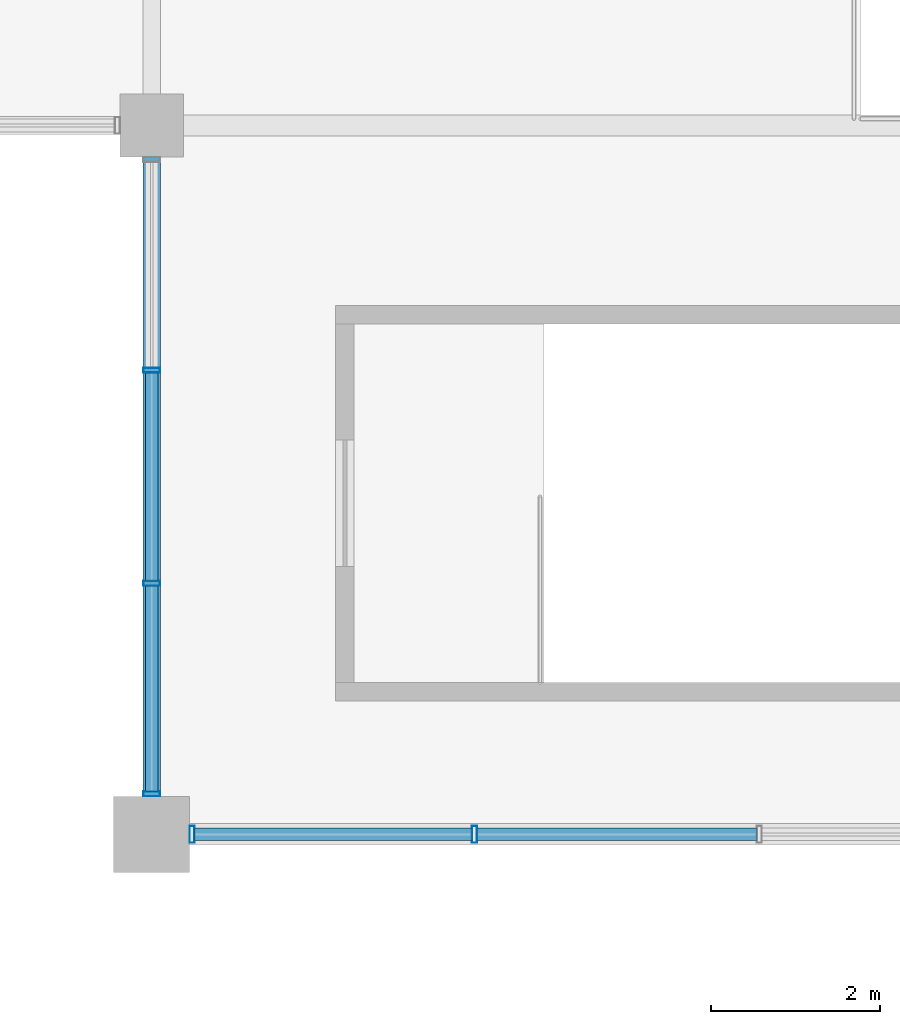
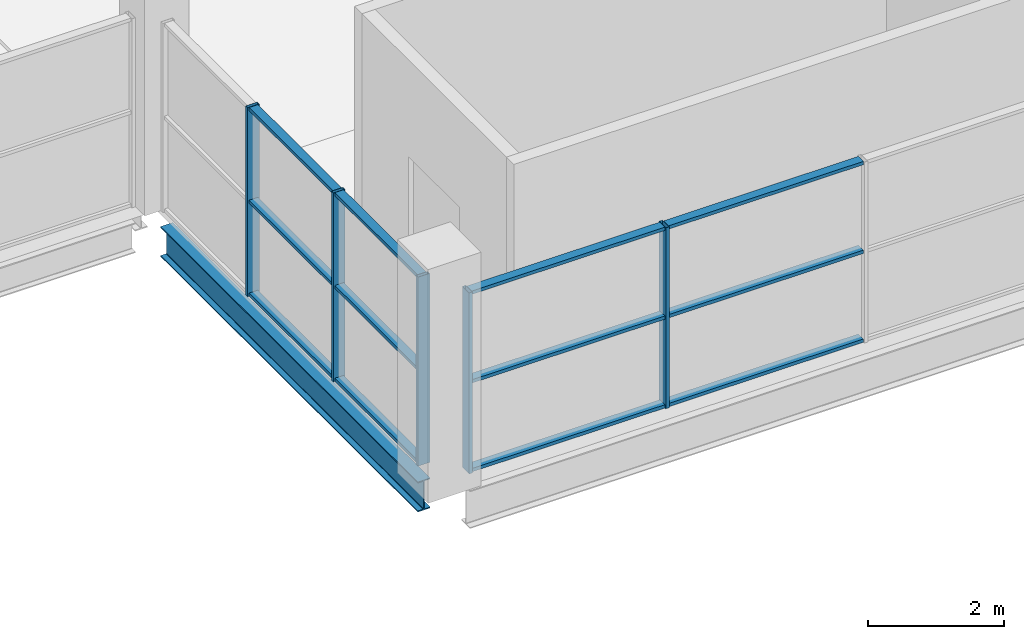
# One storey, part 18 of 161: 17 members, 1 beam, 2 elements without a shape of their own.
"""IFC4 building model written with IfcOpenShell, lengths in metres."""

from ifc_helpers import new_model, si_unit, direction, frame, origin, origin_2d, place, context, subcontext, project, spatial, hollow_rectangle, i_section, extrude, material, material_profile, profile_set, type_object, element, aggregate, save


model = new_model("IFC4")

# Units and contexts
model_context = context("Model", 3, precision=1e-05, world=origin(), true_north=direction((0.0, 1.0)))
body_context = subcontext(model_context, "Body", "Model", "MODEL_VIEW")
ifc_project = project(units=[si_unit("LENGTHUNIT", "METRE"), si_unit("AREAUNIT", "SQUARE_METRE"), si_unit("VOLUMEUNIT", "CUBIC_METRE"), si_unit("PLANEANGLEUNIT", "RADIAN"), si_unit("MASSUNIT", "GRAM", prefix="KILO"), si_unit("THERMODYNAMICTEMPERATUREUNIT", "KELVIN")], contexts=[model_context])

# Site, building, storey
site_placement = place(None, origin())
site = spatial("IfcSite", under=ifc_project, at=site_placement, CompositionType="ELEMENT")
building_placement = place(site_placement, origin())
building = spatial("IfcBuilding", under=site, at=building_placement, Name="Nduvali Passage Aquatics Centre", CompositionType="ELEMENT")
storey_placement = place(building_placement, frame((0.0, 0.0, 4.800048828125)))
storey = spatial("IfcBuildingStorey", under=building, at=storey_placement, Name="L01", CompositionType="ELEMENT", Elevation=4.800048828125)

# Curtain wall, members
ifc_material_1 = material(Name="Aluminium EN AW-6063 T6", Category="aluminium")
curtain_wall_type = type_object("IfcCurtainWallType", Name="ENV-CW-HALL", PredefinedType="NOTDEFINED", material=ifc_material_1)
curtain_wall_1_placement = place(storey_placement, origin())
curtain_wall_1 = element("IfcCurtainWall", 1, at=curtain_wall_1_placement, inside=storey, type_object=curtain_wall_type, Name="L01 West Pool Hall Gallery Glazing 002", PredefinedType="NOTDEFINED")
ifc_material_profile_1 = material_profile(ifc_material_1, hollow_rectangle(XDim=0.06005859375, YDim=0.199951171875, WallThickness=0.00390625, at=origin_2d()), Name="ALU MULLION 60x200x4")
ifc_profile_set_1 = profile_set([ifc_material_profile_1], Name="Aluminium EN AW-6063 T6")
member_type_1 = type_object("IfcMemberType", Name="ENV-MEM-MUL80", PredefinedType="MULLION", material=ifc_profile_set_1)
member_1_placement = place(storey_placement, frame((25.199951171875, 25.679931640625, 0.0), z_axis=(0.0, 0.0, 1.0), x_axis=(0.0, 1.0, 0.0)))
member_1 = element("IfcMember", 2, at=member_1_placement, type_object=member_type_1, Name="West Pool Hall Gallery Glazing Mullion 1", PredefinedType="MULLION", context=body_context, shape_type="SweptSolid", body=[
    extrude(hollow_rectangle(XDim=0.06005859375, YDim=0.199951171875, WallThickness=0.00390625, at=origin_2d()), origin(), (0.0, 0.0, 1.0), 3.396484375),
])
member_2_placement = place(storey_placement, frame((25.199951171875, 28.175048828125, 0.0), z_axis=(0.0, 0.0, 1.0), x_axis=(0.0, 1.0, 0.0)))
member_2 = element("IfcMember", 3, at=member_2_placement, type_object=member_type_1, Name="West Pool Hall Gallery Glazing Mullion 2", PredefinedType="MULLION", context=body_context, shape_type="SweptSolid", body=[
    extrude(hollow_rectangle(XDim=0.06005859375, YDim=0.199951171875, WallThickness=0.00390625, at=origin_2d()), origin(), (0.0, 0.0, 1.0), 3.396484375),
])
member_3_placement = place(storey_placement, frame((25.199951171875, 30.699951171875, 0.0), z_axis=(0.0, 0.0, 1.0), x_axis=(0.0, 1.0, 0.0)))
member_3 = element("IfcMember", 4, at=member_3_placement, type_object=member_type_1, Name="West Pool Hall Gallery Glazing Mullion 3", PredefinedType="MULLION", context=body_context, shape_type="SweptSolid", body=[
    extrude(hollow_rectangle(XDim=0.06005859375, YDim=0.199951171875, WallThickness=0.00390625, at=origin_2d()), origin(), (0.0, 0.0, 1.0), 3.396484375),
])

curtain_wall_2_placement = place(storey_placement, origin())
curtain_wall_2 = element("IfcCurtainWall", 5, at=curtain_wall_2_placement, inside=storey, type_object=curtain_wall_type, Name="L01 South Pool Hall Corner CW 044", PredefinedType="NOTDEFINED")
member_4_placement = place(storey_placement, frame((25.679931640625, 25.199951171875, 0.0), z_axis=(0.0, 0.0, 1.0), x_axis=(1.0, 0.0, 0.0)))
member_4 = element("IfcMember", 6, at=member_4_placement, type_object=member_type_1, Name="South Pool Hall Corner CW Mullion 1", PredefinedType="MULLION", context=body_context, shape_type="SweptSolid", body=[
    extrude(hollow_rectangle(XDim=0.06005859375, YDim=0.199951171875, WallThickness=0.00390625, at=origin_2d()), origin(), (0.0, 0.0, 1.0), 3.25244140625),
])
member_5_placement = place(storey_placement, frame((29.02490234375, 25.199951171875, 0.0), z_axis=(0.0, 0.0, 1.0), x_axis=(1.0, 0.0, 0.0)))
member_5 = element("IfcMember", 7, at=member_5_placement, type_object=member_type_1, Name="South Pool Hall Corner CW Mullion 2", PredefinedType="MULLION", context=body_context, shape_type="SweptSolid", body=[
    extrude(hollow_rectangle(XDim=0.06005859375, YDim=0.199951171875, WallThickness=0.00390625, at=origin_2d()), origin(), (0.0, 0.0, 1.0), 3.25244140625),
])

# Member
ifc_material_profile_2 = material_profile(ifc_material_1, hollow_rectangle(XDim=0.14990234375, YDim=0.06005859375, WallThickness=0.00390625, at=origin_2d()), Name="ALU TRANSOM 150x60x4")
ifc_profile_set_2 = profile_set([ifc_material_profile_2], Name="Aluminium EN AW-6063 T6")
member_type_2 = type_object("IfcMemberType", Name="ENV-MEM-TRN80", PredefinedType="USERDEFINED", material=ifc_profile_set_2)
member_6_placement = place(storey_placement, frame((25.199951171875, 25.7099609375, 0.030029296875), z_axis=(0.0, 1.0, 0.0), x_axis=(-1.0, 0.0, 0.0)))
member_6 = element("IfcMember", 8, at=member_6_placement, type_object=member_type_2, Name="West Pool Hall Gallery Glazing Transom B1-R0", ObjectType="TRANSOM", PredefinedType="USERDEFINED", context=body_context, shape_type="SweptSolid", body=[
    extrude(hollow_rectangle(XDim=0.14990234375, YDim=0.06005859375, WallThickness=0.00390625, at=origin_2d()), origin(), (0.0, 0.0, 1.0), 2.43505859375),
])

member_7_placement = place(storey_placement, frame((25.199951171875, 25.7099609375, 1.6982421875), z_axis=(0.0, 1.0, 0.0), x_axis=(-1.0, 0.0, 0.0)))
member_7 = element("IfcMember", 9, at=member_7_placement, type_object=member_type_2, Name="West Pool Hall Gallery Glazing Transom B1-R1", ObjectType="TRANSOM", PredefinedType="USERDEFINED", context=body_context, shape_type="SweptSolid", body=[
    extrude(hollow_rectangle(XDim=0.14990234375, YDim=0.06005859375, WallThickness=0.00390625, at=origin_2d()), origin(), (0.0, 0.0, 1.0), 2.43505859375),
])

member_8_placement = place(storey_placement, frame((25.199951171875, 25.7099609375, 3.366455078125), z_axis=(0.0, 1.0, 0.0), x_axis=(-1.0, 0.0, 0.0)))
member_8 = element("IfcMember", 10, at=member_8_placement, type_object=member_type_2, Name="West Pool Hall Gallery Glazing Transom B1-R2", ObjectType="TRANSOM", PredefinedType="USERDEFINED", context=body_context, shape_type="SweptSolid", body=[
    extrude(hollow_rectangle(XDim=0.14990234375, YDim=0.06005859375, WallThickness=0.00390625, at=origin_2d()), origin(), (0.0, 0.0, 1.0), 2.43505859375),
])

member_9_placement = place(storey_placement, frame((25.199951171875, 28.205078125, 0.030029296875), z_axis=(0.0, 1.0, 0.0), x_axis=(-1.0, 0.0, 0.0)))
member_9 = element("IfcMember", 11, at=member_9_placement, type_object=member_type_2, Name="West Pool Hall Gallery Glazing Transom B2-R0", ObjectType="TRANSOM", PredefinedType="USERDEFINED", context=body_context, shape_type="SweptSolid", body=[
    extrude(hollow_rectangle(XDim=0.14990234375, YDim=0.06005859375, WallThickness=0.00390625, at=origin_2d()), origin(), (0.0, 0.0, 1.0), 2.46484375),
])

member_10_placement = place(storey_placement, frame((25.199951171875, 28.205078125, 1.6982421875), z_axis=(0.0, 1.0, 0.0), x_axis=(-1.0, 0.0, 0.0)))
member_10 = element("IfcMember", 12, at=member_10_placement, type_object=member_type_2, Name="West Pool Hall Gallery Glazing Transom B2-R1", ObjectType="TRANSOM", PredefinedType="USERDEFINED", context=body_context, shape_type="SweptSolid", body=[
    extrude(hollow_rectangle(XDim=0.14990234375, YDim=0.06005859375, WallThickness=0.00390625, at=origin_2d()), origin(), (0.0, 0.0, 1.0), 2.46484375),
])

member_11_placement = place(storey_placement, frame((25.199951171875, 28.205078125, 3.366455078125), z_axis=(0.0, 1.0, 0.0), x_axis=(-1.0, 0.0, 0.0)))
member_11 = element("IfcMember", 13, at=member_11_placement, type_object=member_type_2, Name="West Pool Hall Gallery Glazing Transom B2-R2", ObjectType="TRANSOM", PredefinedType="USERDEFINED", context=body_context, shape_type="SweptSolid", body=[
    extrude(hollow_rectangle(XDim=0.14990234375, YDim=0.06005859375, WallThickness=0.00390625, at=origin_2d()), origin(), (0.0, 0.0, 1.0), 2.46484375),
])

aggregate(curtain_wall_1, [member_1, member_2, member_3, member_6, member_7, member_8, member_9, member_10, member_11])

member_12_placement = place(storey_placement, frame((25.7099609375, 25.199951171875, 0.030029296875), z_axis=(1.0, 0.0, 0.0), x_axis=(0.0, 1.0, 0.0)))
member_12 = element("IfcMember", 14, at=member_12_placement, type_object=member_type_2, Name="South Pool Hall Corner CW Transom B1-R0", ObjectType="TRANSOM", PredefinedType="USERDEFINED", context=body_context, shape_type="SweptSolid", body=[
    extrude(hollow_rectangle(XDim=0.14990234375, YDim=0.06005859375, WallThickness=0.00390625, at=origin_2d()), origin(), (0.0, 0.0, 1.0), 3.28515625),
])

member_13_placement = place(storey_placement, frame((25.7099609375, 25.199951171875, 1.626220703125), z_axis=(1.0, 0.0, 0.0), x_axis=(0.0, 1.0, 0.0)))
member_13 = element("IfcMember", 15, at=member_13_placement, type_object=member_type_2, Name="South Pool Hall Corner CW Transom B1-R1", ObjectType="TRANSOM", PredefinedType="USERDEFINED", context=body_context, shape_type="SweptSolid", body=[
    extrude(hollow_rectangle(XDim=0.14990234375, YDim=0.06005859375, WallThickness=0.00390625, at=origin_2d()), origin(), (0.0, 0.0, 1.0), 3.28515625),
])

member_14_placement = place(storey_placement, frame((25.7099609375, 25.199951171875, 3.22265625), z_axis=(1.0, 0.0, 0.0), x_axis=(0.0, 1.0, 0.0)))
member_14 = element("IfcMember", 16, at=member_14_placement, type_object=member_type_2, Name="South Pool Hall Corner CW Transom B1-R2", ObjectType="TRANSOM", PredefinedType="USERDEFINED", context=body_context, shape_type="SweptSolid", body=[
    extrude(hollow_rectangle(XDim=0.14990234375, YDim=0.06005859375, WallThickness=0.00390625, at=origin_2d()), origin(), (0.0, 0.0, 1.0), 3.28515625),
])

member_15_placement = place(storey_placement, frame((29.054931640625, 25.199951171875, 0.030029296875), z_axis=(1.0, 0.0, 0.0), x_axis=(0.0, 1.0, 0.0)))
member_15 = element("IfcMember", 17, at=member_15_placement, type_object=member_type_2, Name="South Pool Hall Corner CW Transom B2-R0", ObjectType="TRANSOM", PredefinedType="USERDEFINED", context=body_context, shape_type="SweptSolid", body=[
    extrude(hollow_rectangle(XDim=0.14990234375, YDim=0.06005859375, WallThickness=0.00390625, at=origin_2d()), origin(), (0.0, 0.0, 1.0), 3.315185546875),
])

member_16_placement = place(storey_placement, frame((29.054931640625, 25.199951171875, 1.626220703125), z_axis=(1.0, 0.0, 0.0), x_axis=(0.0, 1.0, 0.0)))
member_16 = element("IfcMember", 18, at=member_16_placement, type_object=member_type_2, Name="South Pool Hall Corner CW Transom B2-R1", ObjectType="TRANSOM", PredefinedType="USERDEFINED", context=body_context, shape_type="SweptSolid", body=[
    extrude(hollow_rectangle(XDim=0.14990234375, YDim=0.06005859375, WallThickness=0.00390625, at=origin_2d()), origin(), (0.0, 0.0, 1.0), 3.315185546875),
])

member_17_placement = place(storey_placement, frame((29.054931640625, 25.199951171875, 3.22265625), z_axis=(1.0, 0.0, 0.0), x_axis=(0.0, 1.0, 0.0)))
member_17 = element("IfcMember", 19, at=member_17_placement, type_object=member_type_2, Name="South Pool Hall Corner CW Transom B2-R2", ObjectType="TRANSOM", PredefinedType="USERDEFINED", context=body_context, shape_type="SweptSolid", body=[
    extrude(hollow_rectangle(XDim=0.14990234375, YDim=0.06005859375, WallThickness=0.00390625, at=origin_2d()), origin(), (0.0, 0.0, 1.0), 3.315185546875),
])

aggregate(curtain_wall_2, [member_4, member_5, member_12, member_13, member_14, member_15, member_16, member_17])

# Beam
ifc_material_2 = material(Name="Steel S355", Category="steel")
ifc_material_profile_3 = material_profile(ifc_material_2, i_section(OverallWidth=0.210693359375, OverallDepth=0.53955078125, WebThickness=0.01171875, FlangeThickness=0.018798828125, FilletRadius=0.0126953125, at=origin_2d()), Name="UKB 533x210x109")
ifc_profile_set_3 = profile_set([ifc_material_profile_3], Name="Steel S355")
beam_type = type_object("IfcBeamType", Name="STR-BM-UKB533-EXT", PredefinedType="BEAM", material=ifc_profile_set_3)
beam_placement = place(storey_placement, frame((25.199951171875, 25.64990234375, -0.553955078125), z_axis=(0.0, 1.0, 0.0), x_axis=(-1.0, 0.0, 0.0)))
element("IfcBeam", 20, at=beam_placement, inside=storey, type_object=beam_type, Name="L01 Primary Y-Girder B6E-0568", PredefinedType="BEAM", context=body_context, shape_type="SweptSolid", body=[
    extrude(i_section(OverallWidth=0.210693359375, OverallDepth=0.53955078125, WebThickness=0.01171875, FlangeThickness=0.018798828125, FilletRadius=0.0126953125, at=origin_2d()), origin(), (0.0, 0.0, 1.0), 7.5751953125),
])

save(model, "model.ifc")
